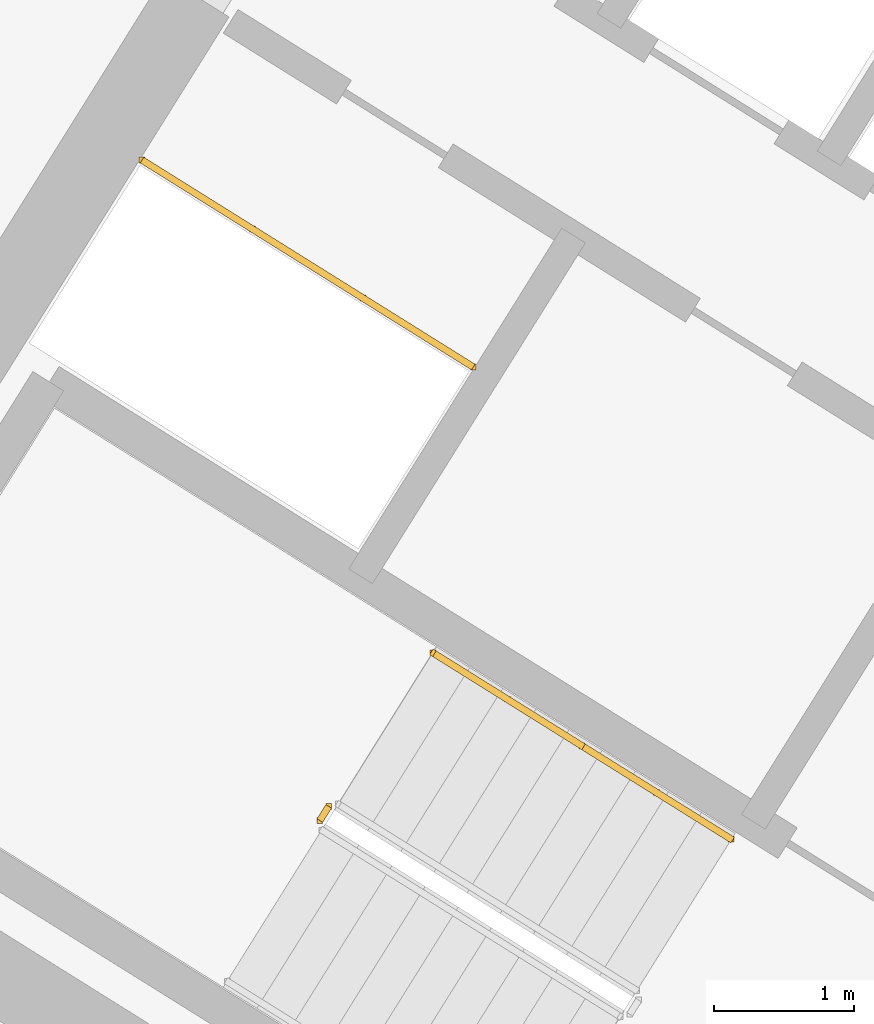
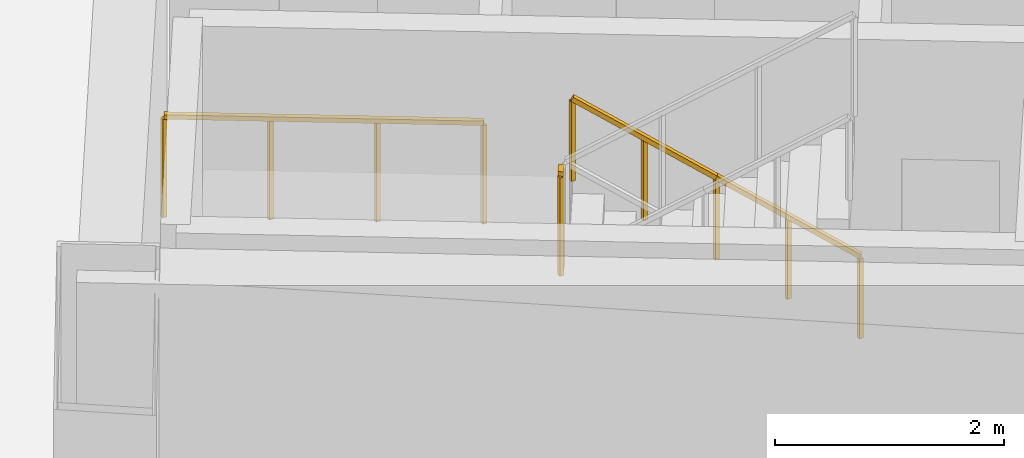
# One storey, part 25 of 29: 4 railings.
"""IFC4 building model written with IfcOpenShell, lengths in metres."""

from ifc_helpers import new_model, si_unit, direction, frame, origin, origin_2d, place, context, subcontext, project, spatial, rectangle, extrude, source, transform, mapped, material, type_object, element, save


model = new_model("IFC4")

# Units and contexts
model_context = context("Model", 3, precision=1e-05, world=origin(), true_north=direction((0.0, 1.0)))
body_context = subcontext(model_context, "Body", "Model", "MODEL_VIEW")
ifc_project = project(units=[si_unit("LENGTHUNIT", "METRE"), si_unit("AREAUNIT", "SQUARE_METRE"), si_unit("VOLUMEUNIT", "CUBIC_METRE"), si_unit("PLANEANGLEUNIT", "RADIAN"), si_unit("MASSUNIT", "GRAM", prefix="KILO")], contexts=[model_context])

# Site, building, storey
site_placement = place(None, origin())
site = spatial("IfcSite", under=ifc_project, at=site_placement, CompositionType="ELEMENT")
building_placement = place(site_placement, origin())
building = spatial("IfcBuilding", under=site, at=building_placement, Name="Tlacorven Tower", CompositionType="ELEMENT")
storey_placement = place(building_placement, frame((0.0, 0.0, 165.89990234375)))
storey = spatial("IfcBuildingStorey", under=building, at=storey_placement, Name="L42", CompositionType="ELEMENT", Elevation=165.89990234375)

# Railings
ifc_material = material(Name="Aluminium and painted steel balustrade", Category="steel")
railing_type_1 = type_object("IfcRailingType", Name="RL-GRD-1100", PredefinedType="GUARDRAIL", material=ifc_material)
shared_shape_1 = source(origin(), body_context, "Body", "SweptSolid", [
    extrude(rectangle(XDim=0.048095703125, YDim=0.048095703125, at=origin_2d()), frame((0.0, 0.0, 1.076171875), z_axis=(-0.848091358275, 0.529850024081, 0.0), x_axis=(-0.529850024081, -0.848091358275, 0.0)), (0.0, 0.0, 1.0), 2.800048828125),
    extrude(rectangle(XDim=0.0419921875, YDim=0.0419921875, at=origin_2d()), origin(), (0.0, 0.0, 1.0), 1.052001953125),
    extrude(rectangle(XDim=0.0419921875, YDim=0.0419921875, at=origin_2d()), frame((-0.79150390625, 0.49462890625, 0.0)), (0.0, 0.0, 1.0), 1.052001953125),
    extrude(rectangle(XDim=0.0419921875, YDim=0.0419921875, at=origin_2d()), frame((-1.583251953125, 0.989013671875, 0.0)), (0.0, 0.0, 1.0), 1.052001953125),
    extrude(rectangle(XDim=0.0419921875, YDim=0.0419921875, at=origin_2d()), frame((-2.374755859375, 1.483642578125, 0.0)), (0.0, 0.0, 1.0), 1.052001953125),
])
railing_1_placement = place(storey_placement, frame((27.9912109375, 22.32080078125, 0.0)))
element("IfcRailing", 1, at=railing_1_placement, inside=storey, type_object=railing_type_1, Name="L42 Electrical Riser W Shaft Guard 1", PredefinedType="GUARDRAIL", context=body_context, shape_type="MappedRepresentation", body=[
    mapped(shared_shape_1, transform((0.0, 0.0, 0.0), scale=1.0)),
])
shared_shape_2 = source(origin(), body_context, "Body", "SweptSolid", [
    extrude(rectangle(XDim=0.048095703125, YDim=0.048095703125, at=origin_2d()), frame((0.0, 0.0, 1.076171875), z_axis=(-0.530546985787, -0.847655529016, 0.0), x_axis=(0.847655529016, -0.530546985787, 0.0)), (0.0, 0.0, 1.0), 0.1201171875),
    extrude(rectangle(XDim=0.0419921875, YDim=0.0419921875, at=origin_2d()), origin(), (0.0, 0.0, 1.0), 1.052001953125),
    extrude(rectangle(XDim=0.0419921875, YDim=0.0419921875, at=origin_2d()), frame((-0.063720703125, -0.101806640625, 0.0)), (0.0, 0.0, 1.0), 1.052001953125),
])
railing_2_placement = place(storey_placement, frame((26.954833984375, 19.17138671875, 1.800048828125)))
element("IfcRailing", 2, at=railing_2_placement, inside=storey, type_object=railing_type_1, Name="L42 ST-W1 stair guard 2", PredefinedType="GUARDRAIL", context=body_context, shape_type="MappedRepresentation", body=[
    mapped(shared_shape_2, transform((0.0, 0.0, 0.0), scale=1.0)),
])
railing_type_2 = type_object("IfcRailingType", Name="RL-HND-0900", PredefinedType="HANDRAIL", material=ifc_material)
shared_shape_3 = source(origin(), body_context, "Body", "SweptSolid", [
    extrude(rectangle(XDim=0.048095703125, YDim=0.048095703125, at=origin_2d()), frame((0.0, 0.0, 0.8759765625), z_axis=(-0.713359751793, 0.4457479829, 0.540764828981), x_axis=(-0.529911857636, -0.848052724267, 0.0)), (0.0, 0.0, 1.0), 1.498046875),
    extrude(rectangle(XDim=0.0419921875, YDim=0.0419921875, at=origin_2d()), origin(), (0.0, 0.0, 1.0), 0.851806640625),
    extrude(rectangle(XDim=0.0419921875, YDim=0.0419921875, at=origin_2d()), frame((-0.5341796875, 0.333984375, 0.405029296875)), (0.0, 0.0, 1.0), 0.851806640625),
    extrude(rectangle(XDim=0.0419921875, YDim=0.0419921875, at=origin_2d()), frame((-1.068603515625, 0.667724609375, 0.81005859375)), (0.0, 0.0, 1.0), 0.851806640625),
])
railing_3_placement = place(storey_placement, frame((28.7705078125, 19.60498046875, 0.989990234375)))
element("IfcRailing", 3, at=railing_3_placement, inside=storey, type_object=railing_type_2, Name="L42 ST-W1 stair handrail 2", PredefinedType="HANDRAIL", context=body_context, shape_type="MappedRepresentation", body=[
    mapped(shared_shape_3, transform((0.0, 0.0, 0.0), scale=1.0)),
])
shared_shape_4 = source(origin(), body_context, "Body", "SweptSolid", [
    extrude(rectangle(XDim=0.048095703125, YDim=0.048095703125, at=origin_2d()), frame((0.0, 0.0, 0.8759765625), z_axis=(-0.713422621445, 0.445787267455, 0.540649494022), x_axis=(-0.529911857636, -0.848052724267, 0.0)), (0.0, 0.0, 1.0), 1.497802734375),
    extrude(rectangle(XDim=0.0419921875, YDim=0.0419921875, at=origin_2d()), origin(), (0.0, 0.0, 1.0), 0.851806640625),
    extrude(rectangle(XDim=0.0419921875, YDim=0.0419921875, at=origin_2d()), frame((-0.5341796875, 0.333984375, 0.40478515625)), (0.0, 0.0, 1.0), 0.851806640625),
    extrude(rectangle(XDim=0.0419921875, YDim=0.0419921875, at=origin_2d()), frame((-1.068603515625, 0.667724609375, 0.809814453125)), (0.0, 0.0, 1.0), 0.851806640625),
])
railing_4_placement = place(storey_placement, frame((29.839111328125, 18.937255859375, 0.18017578125)))
element("IfcRailing", 4, at=railing_4_placement, inside=storey, type_object=railing_type_2, Name="L42 ST-W1 stair handrail 1", PredefinedType="HANDRAIL", context=body_context, shape_type="MappedRepresentation", body=[
    mapped(shared_shape_4, transform((0.0, 0.0, 0.0), scale=1.0)),
])

save(model, "model.ifc")
